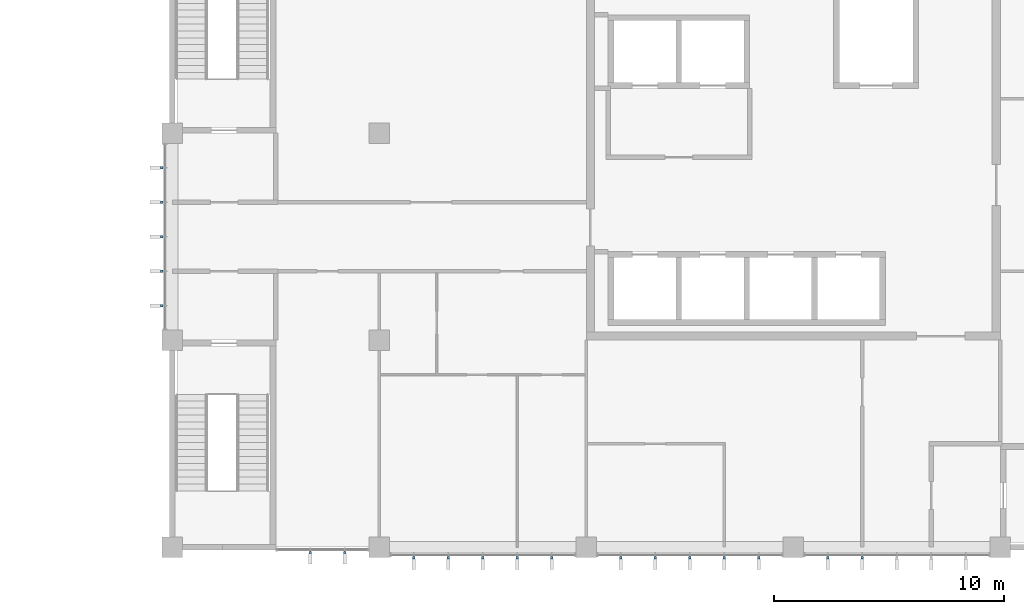
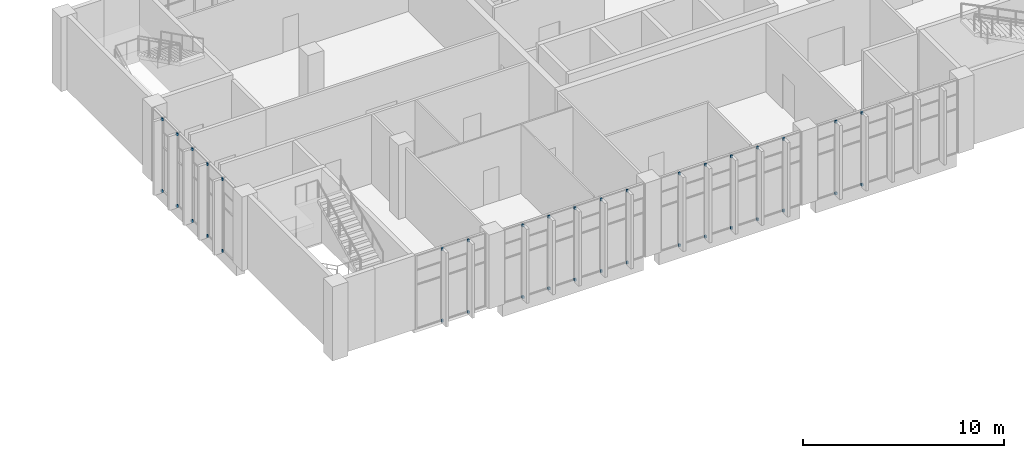
# One storey, part 36 of 45: 38 discrete accessories.
"""IFC4 building model written with IfcOpenShell, lengths in metres."""

import ifcopenshell
import ifcopenshell.guid

model = None  # the IFC model being written
_history = None  # IfcOwnerHistory: only IFC2X3 demands one
_inside = {}  # id of a spatial element -> (the spatial element, [elements in it])
_under = {}  # id of a project, library or spatial element -> (it, [spatial elements below it])
_declared = {}  # id of a project -> (the project, [libraries it declares])
_typed = {}  # id of a type object -> (the type object, [elements of that type])
_made_of = {}  # id of a material, layer set ... -> (it, [elements and type objects made of it])


def new_model(schema):
    """Start an empty IFC model of exactly this schema.

    Asked for "IFC4X3", IfcOpenShell would pick the latest addendum, in which some entities
    have other attributes; the version numbers below select the first issue.
    IFC2X3 requires an IfcOwnerHistory on every rooted entity: one is made here for all.
    """
    global model, _history
    if schema == "IFC4X3":
        model = ifcopenshell.file(schema_version=(4, 3, 0, 0))
    else:
        model = ifcopenshell.file(schema=schema)
    _inside.clear()
    _under.clear()
    _declared.clear()
    _typed.clear()
    _made_of.clear()
    _history = None
    if model.schema == "IFC2X3":
        org = make("IfcOrganization", Name="unknown")
        user = make(
            "IfcPersonAndOrganization",
            ThePerson=make("IfcPerson", FamilyName="unknown"),
            TheOrganization=org,
        )
        app = make(
            "IfcApplication",
            ApplicationDeveloper=org,
            Version="unknown",
            ApplicationFullName="unknown",
            ApplicationIdentifier="unknown",
        )
        _history = make(
            "IfcOwnerHistory",
            OwningUser=user,
            OwningApplication=app,
            ChangeAction="ADDED",
            CreationDate=0,
        )
    return model


def make(cls, **values):
    """One entity of the class cls with the attributes given. An attribute that is None is left unset."""
    return model.create_entity(
        cls, **{name: value for name, value in values.items() if value is not None}
    )


def rooted(cls, **values):
    """An entity with a GlobalId (a new one), such as an element, a storey or a relation."""
    return make(cls, GlobalId=ifcopenshell.guid.new(), OwnerHistory=_history, **values)


def si_unit(unit_type, name, prefix=None):
    """IfcSIUnit, for example si_unit("LENGTHUNIT", "METRE", prefix="MILLI")."""
    return make("IfcSIUnit", UnitType=unit_type, Prefix=prefix, Name=name)


def assignment(units):
    """IfcUnitAssignment: the units of a project."""
    return None if units is None else make("IfcUnitAssignment", Units=units)


def point(xyz):
    """IfcCartesianPoint."""
    return None if xyz is None else make("IfcCartesianPoint", Coordinates=xyz)


def direction(xyz):
    """IfcDirection."""
    return None if xyz is None else make("IfcDirection", DirectionRatios=xyz)


def frame(location, z_axis=None, x_axis=None):
    """IfcAxis2Placement3D, a coordinate frame: its origin and axes. An axis left out is left unset."""
    return make(
        "IfcAxis2Placement3D",
        Location=point(location),
        Axis=direction(z_axis),
        RefDirection=direction(x_axis),
    )


def frame_2d(location, x_axis=None):
    """IfcAxis2Placement2D, a coordinate frame in the plane: its origin and x axis."""
    return make(
        "IfcAxis2Placement2D", Location=point(location), RefDirection=direction(x_axis)
    )


def origin():
    """The frame at (0, 0, 0) with its axes left unset."""
    return frame((0.0, 0.0, 0.0))


def origin_2d():
    """The frame at (0, 0) in the plane with its x axis left unset."""
    return frame_2d((0.0, 0.0))


def place(relative_to, where):
    """IfcLocalPlacement: puts the frame where relative to a parent placement (None: the world)."""
    return make(
        "IfcLocalPlacement", PlacementRelTo=relative_to, RelativePlacement=where
    )


def context(
    kind, dimensions, precision=None, world=None, true_north=None, identifier=None
):
    """IfcGeometricRepresentationContext, for example the 3D "Model" context."""
    return make(
        "IfcGeometricRepresentationContext",
        ContextIdentifier=identifier,
        ContextType=kind,
        CoordinateSpaceDimension=dimensions,
        Precision=precision,
        WorldCoordinateSystem=world,
        TrueNorth=true_north,
    )


def subcontext(parent, identifier, kind, view, scale=None):
    """IfcGeometricRepresentationSubContext, for example "Body" below "Model"."""
    return make(
        "IfcGeometricRepresentationSubContext",
        ContextIdentifier=identifier,
        ContextType=kind,
        ParentContext=parent,
        TargetScale=scale,
        TargetView=view,
    )


def project(units=None, contexts=None):
    """IfcProject with its units and contexts."""
    return rooted(
        "IfcProject",
        Name="project",
        RepresentationContexts=contexts,
        UnitsInContext=assignment(units),
    )


def spatial(cls, under=None, at=None, **own):
    """A site, building, storey or space (cls), placed at a placement, below another one or the project."""
    s = rooted(cls, ObjectPlacement=at, **own)
    if under is not None:
        _under.setdefault(under.id(), (under, []))[1].append(s)
    return s


def profile(cls, at=None, kind="AREA", **sizes):
    """A parametric profile (cls). Its sizes go by their IFC names, for example OverallWidth=200.0."""
    return make(cls, ProfileType=kind, Position=at, **sizes)


def rectangle(**sizes):
    """IfcRectangleProfileDef."""
    return profile("IfcRectangleProfileDef", **sizes)


def extrude(swept, where, along, depth):
    """IfcExtrudedAreaSolid: the profile swept, set in the frame where, extruded along a direction by depth."""
    return make(
        "IfcExtrudedAreaSolid",
        SweptArea=swept,
        Position=where,
        ExtrudedDirection=direction(along),
        Depth=depth,
    )


def shape(context_of_items, identifier, shape_type, items):
    """IfcShapeRepresentation: the items that make up one representation, for example the "Body"."""
    return make(
        "IfcShapeRepresentation",
        ContextOfItems=context_of_items,
        RepresentationIdentifier=identifier,
        RepresentationType=shape_type,
        Items=items,
    )


def material(Name=None, Category=None):
    """IfcMaterial."""
    return make("IfcMaterial", Name=Name, Category=Category)


def made_of(thing, what):
    """Note that an element or type object is made of a material, layer set ...; save() writes the relation."""
    if what is not None:
        _made_of.setdefault(what.id(), (what, []))[1].append(thing)
    return thing


def type_object(cls, material=None, **own):
    """A type object (cls), such as IfcWallType, which elements share."""
    return made_of(rooted(cls, **own), material)


def element(
    cls,
    number,
    at=None,
    inside=None,
    cuts=None,
    type_object=None,
    material=None,
    context=None,
    identifier="Body",
    shape_type=None,
    held_by="IfcProductDefinitionShape",
    body=None,
    shapes=None,
    **own,
):
    """One element of the class cls, such as IfcWall. Its Tag is "e" and its number.

    at: its placement. inside: the storey or other place that contains it. cuts: it is an
    opening in that element (IfcRelVoidsElement). A single representation is given by context,
    identifier, shape_type and body (its items); several are given by shapes. held_by: the class
    of the entity that holds the representations. save() writes the other relations.
    """
    e = rooted(cls, Tag="e%d" % number, ObjectPlacement=at, **own)
    if body is not None:
        shapes = [shape(context, identifier, shape_type, body)]
    if shapes is not None:
        e.Representation = make(held_by, Representations=shapes)
    if inside is not None:
        _inside.setdefault(inside.id(), (inside, []))[1].append(e)
    if cuts is not None:
        rooted(
            "IfcRelVoidsElement", RelatingBuildingElement=cuts, RelatedOpeningElement=e
        )
    if type_object is not None:
        _typed.setdefault(type_object.id(), (type_object, []))[1].append(e)
    return made_of(e, material)


def aggregate(whole, parts):
    """IfcRelAggregates: a whole, such as a stair, and the parts it consists of."""
    return rooted("IfcRelAggregates", RelatingObject=whole, RelatedObjects=parts)


def save(model, path):
    """Write the relations noted so far, then the file.

    IfcRelAggregates (storeys below a building ...), IfcRelContainedInSpatialStructure (elements
    in a storey), IfcRelDefinesByType, IfcRelAssociatesMaterial and IfcRelDeclares: one each for
    every whole, place, type object, material and project.
    """
    for whole, parts in _under.values():
        aggregate(whole, parts)
    for where, things in _inside.values():
        rooted(
            "IfcRelContainedInSpatialStructure",
            RelatedElements=things,
            RelatingStructure=where,
        )
    for kind, things in _typed.values():
        rooted("IfcRelDefinesByType", RelatedObjects=things, RelatingType=kind)
    for what, things in _made_of.values():
        rooted("IfcRelAssociatesMaterial", RelatedObjects=things, RelatingMaterial=what)
    for by, libraries in _declared.values():
        rooted("IfcRelDeclares", RelatingContext=by, RelatedDefinitions=libraries)
    model.write(path)


model = new_model("IFC4")

# Units and contexts
model_context = context("Model", 3, precision=1e-05, world=origin(), true_north=direction((0.0, 1.0)))
body_context = subcontext(model_context, "Body", "Model", "MODEL_VIEW")
ifc_project = project(units=[si_unit("LENGTHUNIT", "METRE"), si_unit("AREAUNIT", "SQUARE_METRE"), si_unit("VOLUMEUNIT", "CUBIC_METRE"), si_unit("PLANEANGLEUNIT", "RADIAN"), si_unit("MASSUNIT", "GRAM", prefix="KILO")], contexts=[model_context])

# Site, building, storey
site_placement = place(None, origin())
site = spatial("IfcSite", under=ifc_project, at=site_placement, CompositionType="ELEMENT")
building_placement = place(site_placement, origin())
building = spatial("IfcBuilding", under=site, at=building_placement, Name="Guidao Yard Department Store", CompositionType="ELEMENT")
storey_placement = place(building_placement, frame((0.0, 0.0, 19.5)))
storey = spatial("IfcBuildingStorey", under=building, at=storey_placement, Name="L04", CompositionType="ELEMENT", Elevation=19.5)

# Discrete accessories
ifc_material = material(Name="Steel Q355B", Category="steel")
discrete_accessory_type = type_object("IfcDiscreteAccessoryType", Name="Fin bracket BR3 steel plate", PredefinedType="BRACKET", material=ifc_material)
for number, where, z_axis, x_axis, name in (
    (1, (132.0, -0.22998046875, 0.0), (0.0, 0.0, 1.0), (-1.0, 0.0, 0.0), "Fin bracket"),
    (2, (132.0, -0.22998046875, 4.35009765625), (0.0, 0.0, 1.0), (-1.0, 0.0, 0.0), "Fin bracket"),
    (3, (133.5, -0.22998046875, 0.0), (0.0, 0.0, 1.0), (-1.0, 0.0, 0.0), "Fin bracket"),
    (4, (133.5, -0.22998046875, 4.35009765625), (0.0, 0.0, 1.0), (-1.0, 0.0, 0.0), "Fin bracket"),
    (5, (136.5, -0.4599609375, 0.0), (0.0, 0.0, 1.0), (-1.0, 0.0, 0.0), "Fin bracket"),
    (6, (136.5, -0.4599609375, 4.35009765625), (0.0, 0.0, 1.0), (-1.0, 0.0, 0.0), "Fin bracket"),
    (7, (138.0, -0.4599609375, 0.0), (0.0, 0.0, 1.0), (-1.0, 0.0, 0.0), "Fin bracket"),
    (8, (138.0, -0.4599609375, 4.35009765625), (0.0, 0.0, 1.0), (-1.0, 0.0, 0.0), "Fin bracket"),
    (9, (139.5, -0.4599609375, 0.0), (0.0, 0.0, 1.0), (-1.0, 0.0, 0.0), "Fin bracket"),
    (10, (139.5, -0.4599609375, 4.35009765625), (0.0, 0.0, 1.0), (-1.0, 0.0, 0.0), "Fin bracket"),
    (11, (141.0, -0.4599609375, 0.0), (0.0, 0.0, 1.0), (-1.0, 0.0, 0.0), "Fin bracket"),
    (12, (141.0, -0.4599609375, 4.35009765625), (0.0, 0.0, 1.0), (-1.0, 0.0, 0.0), "Fin bracket"),
    (13, (142.5, -0.4599609375, 0.0), (0.0, 0.0, 1.0), (-1.0, 0.0, 0.0), "Fin bracket"),
    (14, (142.5, -0.4599609375, 4.35009765625), (0.0, 0.0, 1.0), (-1.0, 0.0, 0.0), "Fin bracket"),
    (15, (145.5, -0.4599609375, 0.0), (0.0, 0.0, 1.0), (-1.0, 0.0, 0.0), "Fin bracket"),
    (16, (145.5, -0.4599609375, 4.35009765625), (0.0, 0.0, 1.0), (-1.0, 0.0, 0.0), "Fin bracket"),
    (17, (147.0, -0.4599609375, 0.0), (0.0, 0.0, 1.0), (-1.0, 0.0, 0.0), "Fin bracket"),
    (18, (147.0, -0.4599609375, 4.35009765625), (0.0, 0.0, 1.0), (-1.0, 0.0, 0.0), "Fin bracket"),
    (19, (148.5, -0.4599609375, 0.0), (0.0, 0.0, 1.0), (-1.0, 0.0, 0.0), "Fin bracket"),
    (20, (148.5, -0.4599609375, 4.35009765625), (0.0, 0.0, 1.0), (-1.0, 0.0, 0.0), "Fin bracket"),
    (21, (150.0, -0.4599609375, 0.0), (0.0, 0.0, 1.0), (-1.0, 0.0, 0.0), "Fin bracket"),
    (22, (150.0, -0.4599609375, 4.35009765625), (0.0, 0.0, 1.0), (-1.0, 0.0, 0.0), "Fin bracket"),
    (23, (151.5, -0.4599609375, 0.0), (0.0, 0.0, 1.0), (-1.0, 0.0, 0.0), "Fin bracket"),
    (24, (151.5, -0.4599609375, 4.35009765625), (0.0, 0.0, 1.0), (-1.0, 0.0, 0.0), "Fin bracket"),
    (25, (154.5, -0.4599609375, 0.0), (0.0, 0.0, 1.0), (-1.0, 0.0, 0.0), "Fin bracket"),
    (26, (154.5, -0.4599609375, 4.35009765625), (0.0, 0.0, 1.0), (-1.0, 0.0, 0.0), "Fin bracket"),
    (27, (156.0, -0.4599609375, 0.0), (0.0, 0.0, 1.0), (-1.0, 0.0, 0.0), "Fin bracket"),
    (28, (156.0, -0.4599609375, 4.35009765625), (0.0, 0.0, 1.0), (-1.0, 0.0, 0.0), "Fin bracket"),
    (29, (125.5400390625, 10.5, 0.0), (0.0, 0.0, 1.0), (0.0, 1.0, 0.0), "Fin bracket"),
    (30, (125.5400390625, 10.5, 4.35009765625), (0.0, 0.0, 1.0), (0.0, 1.0, 0.0), "Fin bracket"),
    (31, (125.5400390625, 12.0, 0.0), (0.0, 0.0, 1.0), (0.0, 1.0, 0.0), "Fin bracket"),
    (32, (125.5400390625, 12.0, 4.35009765625), (0.0, 0.0, 1.0), (0.0, 1.0, 0.0), "Fin bracket"),
    (33, (125.5400390625, 13.5, 0.0), (0.0, 0.0, 1.0), (0.0, 1.0, 0.0), "Fin bracket"),
    (34, (125.5400390625, 13.5, 4.35009765625), (0.0, 0.0, 1.0), (0.0, 1.0, 0.0), "Fin bracket"),
    (35, (125.5400390625, 15.0, 0.0), (0.0, 0.0, 1.0), (0.0, 1.0, 0.0), "Fin bracket"),
    (36, (125.5400390625, 15.0, 4.35009765625), (0.0, 0.0, 1.0), (0.0, 1.0, 0.0), "Fin bracket"),
    (37, (125.5400390625, 16.5, 0.0), (0.0, 0.0, 1.0), (0.0, 1.0, 0.0), "Fin bracket"),
    (38, (125.5400390625, 16.5, 4.35009765625), (0.0, 0.0, 1.0), (0.0, 1.0, 0.0), "Fin bracket"),
):
    element("IfcDiscreteAccessory", number, at=place(storey_placement, frame(where, z_axis=z_axis, x_axis=x_axis)), inside=storey, type_object=discrete_accessory_type, Name=name, PredefinedType="BRACKET", context=body_context, shape_type="SweptSolid", body=[
        extrude(rectangle(XDim=0.10009765625, YDim=0.10009765625, at=origin_2d()), origin(), (0.0, 0.0, 1.0), 0.14990234375),
    ])

save(model, "model.ifc")
